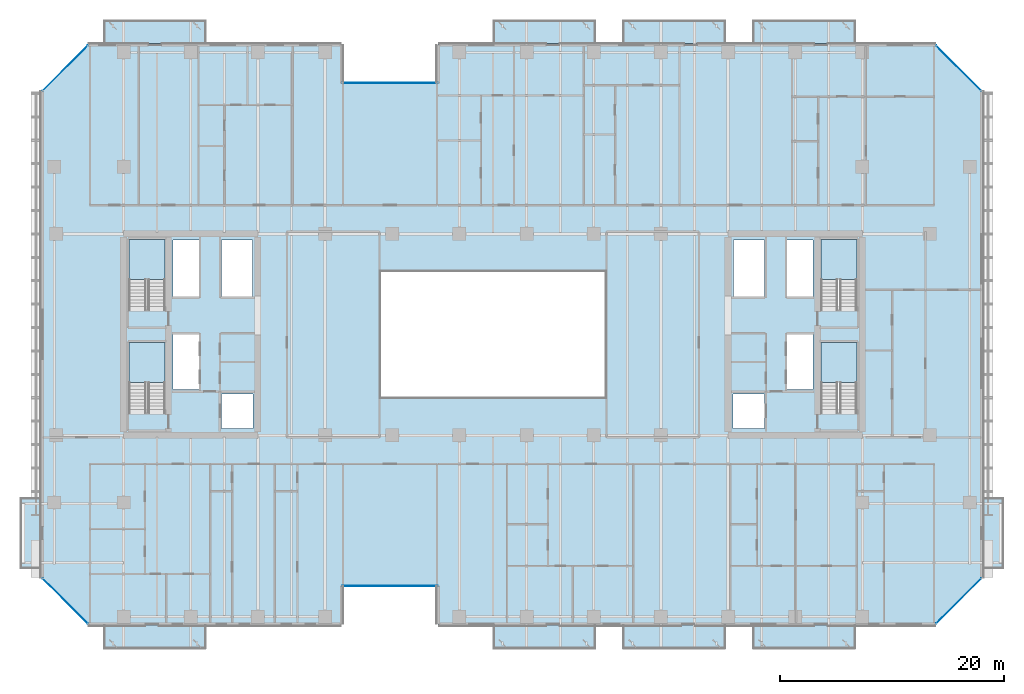
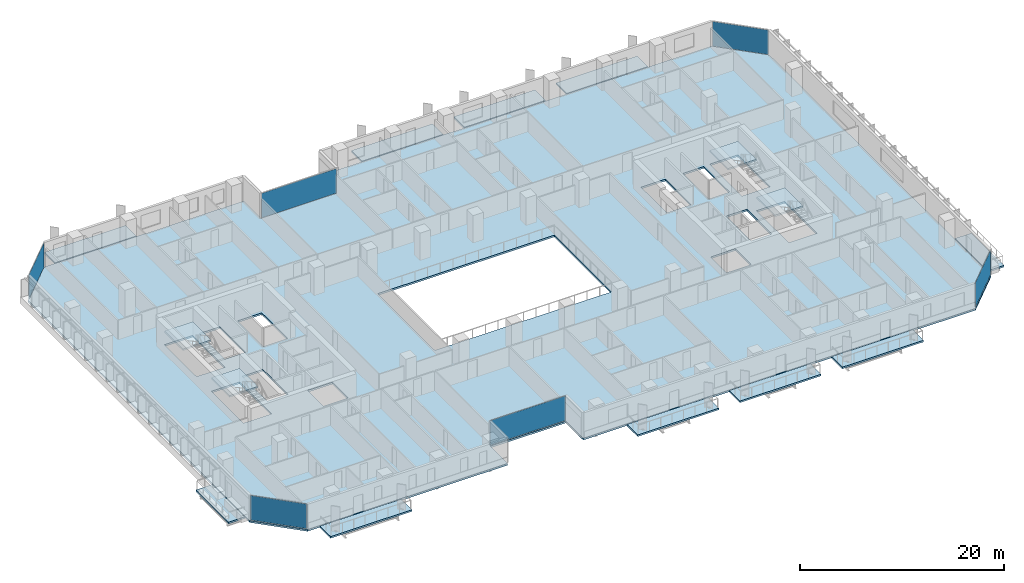
# One storey, part 16 of 33: 15 slabs, 6 plates, 10 elements without a shape of their own.
"""IFC4 building model written with IfcOpenShell, lengths in metres."""

from ifc_helpers import new_model, si_unit, direction, frame, origin, origin_2d, place, context, subcontext, project, spatial, polyline, rectangle, outline, extrude, material, layer, layer_set, type_object, element, aggregate, save


model = new_model("IFC4")

# Units and contexts
model_context = context("Model", 3, precision=1e-05, world=origin(), true_north=direction((0.0, 1.0)))
body_context = subcontext(model_context, "Body", "Model", "MODEL_VIEW")
ifc_project = project(units=[si_unit("LENGTHUNIT", "METRE"), si_unit("AREAUNIT", "SQUARE_METRE"), si_unit("VOLUMEUNIT", "CUBIC_METRE"), si_unit("PLANEANGLEUNIT", "RADIAN"), si_unit("MASSUNIT", "GRAM", prefix="KILO")], contexts=[model_context])

# Site, building, storey
site_placement = place(None, origin())
site = spatial("IfcSite", under=ifc_project, at=site_placement, CompositionType="ELEMENT")
building_placement = place(site_placement, origin())
building = spatial("IfcBuilding", under=site, at=building_placement, Name="Tanjung Sevakor Pilgrim Tower", CompositionType="ELEMENT")
storey_placement = place(building_placement, frame((0.0, 0.0, 35.639892578125)))
storey = spatial("IfcBuildingStorey", under=building, at=storey_placement, Name="L09", CompositionType="ELEMENT", Elevation=35.639892578125)

# Slabs
ifc_material_1 = material(Name="Concrete C40/50", Category="concrete")
ifc_layer_1 = layer(ifc_material_1, 0.199951171875)
ifc_layer_set_1 = layer_set([ifc_layer_1], Name="SL-BAL-200")
slab_type_1 = type_object("IfcSlabType", Name="SL-BAL-200", PredefinedType="FLOOR", material=ifc_layer_set_1)
slab_1_placement = place(storey_placement, frame((0.0, 0.0, -0.199951171875)))
element("IfcSlab", 1, at=slab_1_placement, inside=storey, type_object=slab_type_1, Name="L09 Planted Loggia Balcony MAIN-S1", PredefinedType="FLOOR", context=body_context, shape_type="SweptSolid", body=[
    extrude(outline(polyline([(22.199951171875, 5.5), (31.39990234375, 5.5), (31.39990234375, 7.60009765625), (22.199951171875, 7.60009765625), (22.199951171875, 5.5)])), origin(), (0.0, 0.0, 1.0), 0.199951171875),
])
slab_2_placement = place(storey_placement, frame((0.0, 0.0, -0.199951171875)))
element("IfcSlab", 2, at=slab_2_placement, inside=storey, type_object=slab_type_1, Name="L09 Planted Loggia Balcony MAIN-N1", PredefinedType="FLOOR", context=body_context, shape_type="SweptSolid", body=[
    extrude(outline(polyline([(22.199951171875, 59.60009765625), (31.39990234375, 59.60009765625), (31.39990234375, 61.699951171875), (22.199951171875, 61.699951171875), (22.199951171875, 59.60009765625)])), origin(), (0.0, 0.0, 1.0), 0.199951171875),
])
slab_3_placement = place(storey_placement, frame((0.0, 0.0, -0.199951171875)))
element("IfcSlab", 3, at=slab_3_placement, inside=storey, type_object=slab_type_1, Name="L09 Planted Loggia Balcony MAIN-S2", PredefinedType="FLOOR", context=body_context, shape_type="SweptSolid", body=[
    extrude(outline(polyline([(57.0, 5.5), (66.199951171875, 5.5), (66.199951171875, 7.60009765625), (57.0, 7.60009765625), (57.0, 5.5)])), origin(), (0.0, 0.0, 1.0), 0.199951171875),
])
slab_4_placement = place(storey_placement, frame((0.0, 0.0, -0.199951171875)))
element("IfcSlab", 4, at=slab_4_placement, inside=storey, type_object=slab_type_1, Name="L09 Planted Loggia Balcony MAIN-N2", PredefinedType="FLOOR", context=body_context, shape_type="SweptSolid", body=[
    extrude(outline(polyline([(57.0, 59.60009765625), (66.199951171875, 59.60009765625), (66.199951171875, 61.699951171875), (57.0, 61.699951171875), (57.0, 59.60009765625)])), origin(), (0.0, 0.0, 1.0), 0.199951171875),
])
slab_5_placement = place(storey_placement, frame((0.0, 0.0, -0.199951171875)))
element("IfcSlab", 5, at=slab_5_placement, inside=storey, type_object=slab_type_1, Name="L09 Planted Loggia Balcony MAIN-S3", PredefinedType="FLOOR", context=body_context, shape_type="SweptSolid", body=[
    extrude(outline(polyline([(68.60009765625, 5.5), (77.800048828125, 5.5), (77.800048828125, 7.60009765625), (68.60009765625, 7.60009765625), (68.60009765625, 5.5)])), origin(), (0.0, 0.0, 1.0), 0.199951171875),
])
slab_6_placement = place(storey_placement, frame((0.0, 0.0, -0.199951171875)))
element("IfcSlab", 6, at=slab_6_placement, inside=storey, type_object=slab_type_1, Name="L09 Planted Loggia Balcony MAIN-N3", PredefinedType="FLOOR", context=body_context, shape_type="SweptSolid", body=[
    extrude(outline(polyline([(68.60009765625, 59.60009765625), (77.800048828125, 59.60009765625), (77.800048828125, 61.699951171875), (68.60009765625, 61.699951171875), (68.60009765625, 59.60009765625)])), origin(), (0.0, 0.0, 1.0), 0.199951171875),
])
slab_7_placement = place(storey_placement, frame((0.0, 0.0, -0.199951171875)))
element("IfcSlab", 7, at=slab_7_placement, inside=storey, type_object=slab_type_1, Name="L09 Planted Loggia Balcony MAIN-S4", PredefinedType="FLOOR", context=body_context, shape_type="SweptSolid", body=[
    extrude(outline(polyline([(80.199951171875, 5.5), (89.39990234375, 5.5), (89.39990234375, 7.60009765625), (80.199951171875, 7.60009765625), (80.199951171875, 5.5)])), origin(), (0.0, 0.0, 1.0), 0.199951171875),
])
slab_8_placement = place(storey_placement, frame((0.0, 0.0, -0.199951171875)))
element("IfcSlab", 8, at=slab_8_placement, inside=storey, type_object=slab_type_1, Name="L09 Planted Loggia Balcony MAIN-N4", PredefinedType="FLOOR", context=body_context, shape_type="SweptSolid", body=[
    extrude(outline(polyline([(80.199951171875, 59.60009765625), (89.39990234375, 59.60009765625), (89.39990234375, 61.699951171875), (80.199951171875, 61.699951171875), (80.199951171875, 59.60009765625)])), origin(), (0.0, 0.0, 1.0), 0.199951171875),
])
slab_9_placement = place(storey_placement, frame((0.0, 0.0, -0.199951171875)))
element("IfcSlab", 9, at=slab_9_placement, inside=storey, type_object=slab_type_1, Name="L09 Planted Loggia Balcony MAIN-W1", PredefinedType="FLOOR", context=body_context, shape_type="SweptSolid", body=[
    extrude(outline(polyline([(14.75, 12.64990234375), (16.60009765625, 12.64990234375), (16.60009765625, 19.050048828125), (14.75, 19.050048828125), (14.75, 12.64990234375)])), origin(), (0.0, 0.0, 1.0), 0.199951171875),
])
slab_10_placement = place(storey_placement, frame((0.0, 0.0, -0.199951171875)))
element("IfcSlab", 10, at=slab_10_placement, inside=storey, type_object=slab_type_1, Name="L09 Planted Loggia Balcony MAIN-E1", PredefinedType="FLOOR", context=body_context, shape_type="SweptSolid", body=[
    extrude(outline(polyline([(100.800048828125, 12.64990234375), (102.64990234375, 12.64990234375), (102.64990234375, 19.050048828125), (100.800048828125, 19.050048828125), (100.800048828125, 12.64990234375)])), origin(), (0.0, 0.0, 1.0), 0.199951171875),
])

# Stair, slab
ifc_material_2 = material(Name="Concrete C40/50", Category="concrete")
stair_type = type_object("IfcStairType", Name="STAIR-ST-CR150", PredefinedType="HALF_TURN_STAIR", material=ifc_material_2)
stair_1_placement = place(storey_placement, origin())
stair_1 = element("IfcStair", 11, at=stair_1_placement, inside=storey, type_object=stair_type, Name="L09 West Core Exit Stair 1", PredefinedType="HALF_TURN_STAIR")
ifc_material_3 = material(Name="Concrete C40/50", Category="concrete")
ifc_layer_2 = layer(ifc_material_3, 0.199951171875)
ifc_layer_set_2 = layer_set([ifc_layer_2], Name="SL-LAND-200")
slab_type_2 = type_object("IfcSlabType", Name="SL-LAND-200", PredefinedType="LANDING", material=ifc_layer_set_2)
slab_11_placement = place(storey_placement, frame((0.0, 0.0, 1.4501953125)))
slab_11 = element("IfcSlab", 12, at=slab_11_placement, type_object=slab_type_2, Name="TS-W1 landing 1", PredefinedType="LANDING", context=body_context, shape_type="SweptSolid", body=[
    extrude(outline(polyline([(27.699951171875, 29.300048828125), (27.699951171875, 32.89990234375), (24.5, 32.89990234375), (24.5, 29.300048828125), (27.699951171875, 29.300048828125)])), origin(), (0.0, 0.0, 1.0), 0.199951171875),
])
aggregate(stair_1, [slab_11])

stair_2_placement = place(storey_placement, origin())
stair_2 = element("IfcStair", 13, at=stair_2_placement, inside=storey, type_object=stair_type, Name="L09 West Core Exit Stair 2", PredefinedType="HALF_TURN_STAIR")
slab_12_placement = place(storey_placement, frame((0.0, 0.0, 1.4501953125)))
slab_12 = element("IfcSlab", 14, at=slab_12_placement, type_object=slab_type_2, Name="TS-W2 landing 1", PredefinedType="LANDING", context=body_context, shape_type="SweptSolid", body=[
    extrude(outline(polyline([(27.699951171875, 38.5), (27.699951171875, 42.10009765625), (24.5, 42.10009765625), (24.5, 38.5), (27.699951171875, 38.5)])), origin(), (0.0, 0.0, 1.0), 0.199951171875),
])
aggregate(stair_2, [slab_12])

stair_3_placement = place(storey_placement, origin())
stair_3 = element("IfcStair", 15, at=stair_3_placement, inside=storey, type_object=stair_type, Name="L09 East Core Exit Stair 1", PredefinedType="HALF_TURN_STAIR")
slab_13_placement = place(storey_placement, frame((0.0, 0.0, 1.4501953125)))
slab_13 = element("IfcSlab", 16, at=slab_13_placement, type_object=slab_type_2, Name="TS-E1 landing 1", PredefinedType="LANDING", context=body_context, shape_type="SweptSolid", body=[
    extrude(outline(polyline([(89.5, 29.300048828125), (89.5, 32.89990234375), (86.300048828125, 32.89990234375), (86.300048828125, 29.300048828125), (89.5, 29.300048828125)])), origin(), (0.0, 0.0, 1.0), 0.199951171875),
])
aggregate(stair_3, [slab_13])

stair_4_placement = place(storey_placement, origin())
stair_4 = element("IfcStair", 17, at=stair_4_placement, inside=storey, type_object=stair_type, Name="L09 East Core Exit Stair 2", PredefinedType="HALF_TURN_STAIR")
slab_14_placement = place(storey_placement, frame((0.0, 0.0, 1.4501953125)))
slab_14 = element("IfcSlab", 18, at=slab_14_placement, type_object=slab_type_2, Name="TS-E2 landing 1", PredefinedType="LANDING", context=body_context, shape_type="SweptSolid", body=[
    extrude(outline(polyline([(89.5, 38.5), (89.5, 42.10009765625), (86.300048828125, 42.10009765625), (86.300048828125, 38.5), (89.5, 38.5)])), origin(), (0.0, 0.0, 1.0), 0.199951171875),
])
aggregate(stair_4, [slab_14])

# Slab
ifc_material_4 = material(Name="Concrete C40/50", Category="concrete")
ifc_layer_3 = layer(ifc_material_4, 0.219970703125)
ifc_layer_set_3 = layer_set([ifc_layer_3], Name="SL-TWR-220")
slab_type_3 = type_object("IfcSlabType", Name="SL-TWR-220", PredefinedType="FLOOR", material=ifc_layer_set_3)
slab_15_placement = place(storey_placement, frame((0.0, 0.0, -0.219970703125)))
element("IfcSlab", 19, at=slab_15_placement, inside=storey, type_object=slab_type_3, Name="L09 Floor Slab MAIN", PredefinedType="FLOOR", context=body_context, shape_type="SweptSolid", body=[
    extrude(outline(polyline([(20.846923828125, 7.679931640625), (43.52001953125, 7.679931640625), (43.52001953125, 11.080078125), (52.080078125, 11.080078125), (52.080078125, 7.679931640625), (96.552978515625, 7.679931640625), (100.719970703125, 11.846923828125), (100.719970703125, 55.35302734375), (96.552978515625, 59.52001953125), (52.080078125, 59.52001953125), (52.080078125, 56.1201171875), (43.52001953125, 56.1201171875), (43.52001953125, 59.52001953125), (20.846923828125, 59.52001953125), (16.679931640625, 55.35302734375), (16.679931640625, 11.846923828125), (20.846923828125, 7.679931640625)]), holes=[polyline([(27.699951171875, 26.60009765625), (27.699951171875, 32.89990234375), (24.5, 32.89990234375), (24.5, 26.60009765625), (27.699951171875, 26.60009765625)]), polyline([(27.699951171875, 35.800048828125), (27.699951171875, 42.10009765625), (24.5, 42.10009765625), (24.5, 35.800048828125), (27.699951171875, 35.800048828125)]), polyline([(89.5, 26.60009765625), (89.5, 32.89990234375), (86.300048828125, 32.89990234375), (86.300048828125, 26.60009765625), (89.5, 26.60009765625)]), polyline([(89.5, 35.800048828125), (89.5, 42.10009765625), (86.300048828125, 42.10009765625), (86.300048828125, 35.800048828125), (89.5, 35.800048828125)]), polyline([(32.75, 25.199951171875), (35.550048828125, 25.199951171875), (35.550048828125, 28.300048828125), (32.75, 28.300048828125), (32.75, 25.199951171875)]), polyline([(28.39990234375, 28.699951171875), (30.75, 28.699951171875), (30.75, 33.60009765625), (28.39990234375, 33.60009765625), (28.39990234375, 28.699951171875)]), polyline([(28.39990234375, 37.0), (30.75, 37.0), (30.75, 42.050048828125), (28.39990234375, 42.050048828125), (28.39990234375, 37.0)]), polyline([(32.75, 37.0), (35.5, 37.0), (35.5, 42.050048828125), (32.75, 42.050048828125), (32.75, 37.0)]), polyline([(78.449951171875, 25.199951171875), (81.25, 25.199951171875), (81.25, 28.300048828125), (78.449951171875, 28.300048828125), (78.449951171875, 25.199951171875)]), polyline([(83.25, 28.699951171875), (85.60009765625, 28.699951171875), (85.60009765625, 33.60009765625), (83.25, 33.60009765625), (83.25, 28.699951171875)]), polyline([(83.25, 37.0), (85.60009765625, 37.0), (85.60009765625, 42.050048828125), (83.25, 42.050048828125), (83.25, 37.0)]), polyline([(78.5, 37.0), (81.25, 37.0), (81.25, 42.050048828125), (78.5, 42.050048828125), (78.5, 37.0)]), polyline([(47.0, 28.0), (67.0, 28.0), (67.0, 39.199951171875), (47.0, 39.199951171875), (47.0, 28.0)])]), origin(), (0.0, 0.0, 1.0), 0.219970703125),
])

# Curtain wall, plate
ifc_material_5 = material(Name="Aluminium 6063-T6 and Low-E Glass", Category="aluminium")
ifc_layer_4 = layer(ifc_material_5, 0.179931640625)
ifc_layer_set_4 = layer_set([ifc_layer_4], Name="CW-SYS-CLEFT")
curtain_wall_type_1 = type_object("IfcCurtainWallType", Name="CW-SYS-CLEFT", PredefinedType="NOTDEFINED", material=ifc_layer_set_4)
curtain_wall_1_placement = place(storey_placement, origin())
curtain_wall_1 = element("IfcCurtainWall", 20, at=curtain_wall_1_placement, inside=storey, type_object=curtain_wall_type_1, Name="L09 Curtain Wall CW-CLF-L09-2", PredefinedType="NOTDEFINED")
ifc_material_6 = material(Name="Laminated Low-E Double Glazing", Category="glass")
ifc_layer_5 = layer(ifc_material_6, 0.028076171875)
ifc_layer_set_5 = layer_set([ifc_layer_5], Name="TYPE-CWP-GLZ1")
plate_type = type_object("IfcPlateType", Name="TYPE-CWP-GLZ1", PredefinedType="CURTAIN_PANEL", material=ifc_layer_set_5)
plate_1_placement = place(storey_placement, frame((47.800048828125, 11.139892578125, 0.06494140625), z_axis=(0.0, 0.0, 1.0), x_axis=(1.0, 0.0, 0.0)))
plate_1 = element("IfcPlate", 21, at=plate_1_placement, type_object=plate_type, Name="CW-CLF panel 1.1", PredefinedType="CURTAIN_PANEL", context=body_context, shape_type="SweptSolid", body=[
    extrude(rectangle(XDim=8.530029296875, YDim=0.028076171875, at=origin_2d()), origin(), (0.0, 0.0, 1.0), 2.949951171875),
])
aggregate(curtain_wall_1, [plate_1])

ifc_material_7 = material(Name="Aluminium 6063-T6 and Low-E Glass", Category="aluminium")
ifc_layer_6 = layer(ifc_material_7, 0.179931640625)
ifc_layer_set_6 = layer_set([ifc_layer_6], Name="CW-SYS-CHAM")
curtain_wall_type_2 = type_object("IfcCurtainWallType", Name="CW-SYS-CHAM", PredefinedType="NOTDEFINED", material=ifc_layer_set_6)
curtain_wall_2_placement = place(storey_placement, origin())
curtain_wall_2 = element("IfcCurtainWall", 22, at=curtain_wall_2_placement, inside=storey, type_object=curtain_wall_type_2, Name="L09 Curtain Wall CW-CHM-L09-MAIN-5", PredefinedType="NOTDEFINED")
plate_2_placement = place(storey_placement, frame((98.60107421875, 9.799072265625, 0.06494140625), z_axis=(0.0, 0.0, 1.0), x_axis=(0.707106781187, 0.707106781187, 0.0)))
plate_2 = element("IfcPlate", 23, at=plate_2_placement, type_object=plate_type, Name="CW-CHM panel 1.1", PredefinedType="CURTAIN_PANEL", context=body_context, shape_type="SweptSolid", body=[
    extrude(rectangle(XDim=5.69384765625, YDim=0.028076171875, at=origin_2d()), origin(), (0.0, 0.0, 1.0), 2.949951171875),
])
aggregate(curtain_wall_2, [plate_2])

curtain_wall_3_placement = place(storey_placement, origin())
curtain_wall_3 = element("IfcCurtainWall", 24, at=curtain_wall_3_placement, inside=storey, type_object=curtain_wall_type_2, Name="L09 Curtain Wall CW-CHM-L09-MAIN-7", PredefinedType="NOTDEFINED")
plate_3_placement = place(storey_placement, frame((98.60107421875, 57.40087890625, 0.06494140625), z_axis=(0.0, 0.0, 1.0), x_axis=(-0.707106781187, 0.707106781187, 0.0)))
plate_3 = element("IfcPlate", 25, at=plate_3_placement, type_object=plate_type, Name="CW-CHM panel 1.1", PredefinedType="CURTAIN_PANEL", context=body_context, shape_type="SweptSolid", body=[
    extrude(rectangle(XDim=5.69384765625, YDim=0.028076171875, at=origin_2d()), origin(), (0.0, 0.0, 1.0), 2.949951171875),
])
aggregate(curtain_wall_3, [plate_3])

curtain_wall_4_placement = place(storey_placement, origin())
curtain_wall_4 = element("IfcCurtainWall", 26, at=curtain_wall_4_placement, inside=storey, type_object=curtain_wall_type_1, Name="L09 Curtain Wall CW-CLF-L09-10", PredefinedType="NOTDEFINED")
plate_4_placement = place(storey_placement, frame((47.800048828125, 56.06005859375, 0.06494140625), z_axis=(0.0, 0.0, 1.0), x_axis=(-1.0, 0.0, 0.0)))
plate_4 = element("IfcPlate", 27, at=plate_4_placement, type_object=plate_type, Name="CW-CLF panel 1.1", PredefinedType="CURTAIN_PANEL", context=body_context, shape_type="SweptSolid", body=[
    extrude(rectangle(XDim=8.530029296875, YDim=0.028076171875, at=origin_2d()), origin(), (0.0, 0.0, 1.0), 2.949951171875),
])
aggregate(curtain_wall_4, [plate_4])

curtain_wall_5_placement = place(storey_placement, origin())
curtain_wall_5 = element("IfcCurtainWall", 28, at=curtain_wall_5_placement, inside=storey, type_object=curtain_wall_type_2, Name="L09 Curtain Wall CW-CHM-L09-MAIN-13", PredefinedType="NOTDEFINED")
plate_5_placement = place(storey_placement, frame((18.799072265625, 57.40087890625, 0.06494140625), z_axis=(0.0, 0.0, 1.0), x_axis=(-0.707106781187, -0.707106781187, 0.0)))
plate_5 = element("IfcPlate", 29, at=plate_5_placement, type_object=plate_type, Name="CW-CHM panel 1.1", PredefinedType="CURTAIN_PANEL", context=body_context, shape_type="SweptSolid", body=[
    extrude(rectangle(XDim=5.69384765625, YDim=0.028076171875, at=origin_2d()), origin(), (0.0, 0.0, 1.0), 2.949951171875),
])
aggregate(curtain_wall_5, [plate_5])

curtain_wall_6_placement = place(storey_placement, origin())
curtain_wall_6 = element("IfcCurtainWall", 30, at=curtain_wall_6_placement, inside=storey, type_object=curtain_wall_type_2, Name="L09 Curtain Wall CW-CHM-L09-MAIN-15", PredefinedType="NOTDEFINED")
plate_6_placement = place(storey_placement, frame((18.799072265625, 9.799072265625, 0.06494140625), z_axis=(0.0, 0.0, 1.0), x_axis=(0.707106781187, -0.707106781187, 0.0)))
plate_6 = element("IfcPlate", 31, at=plate_6_placement, type_object=plate_type, Name="CW-CHM panel 1.1", PredefinedType="CURTAIN_PANEL", context=body_context, shape_type="SweptSolid", body=[
    extrude(rectangle(XDim=5.69384765625, YDim=0.028076171875, at=origin_2d()), origin(), (0.0, 0.0, 1.0), 2.949951171875),
])
aggregate(curtain_wall_6, [plate_6])

save(model, "model.ifc")
